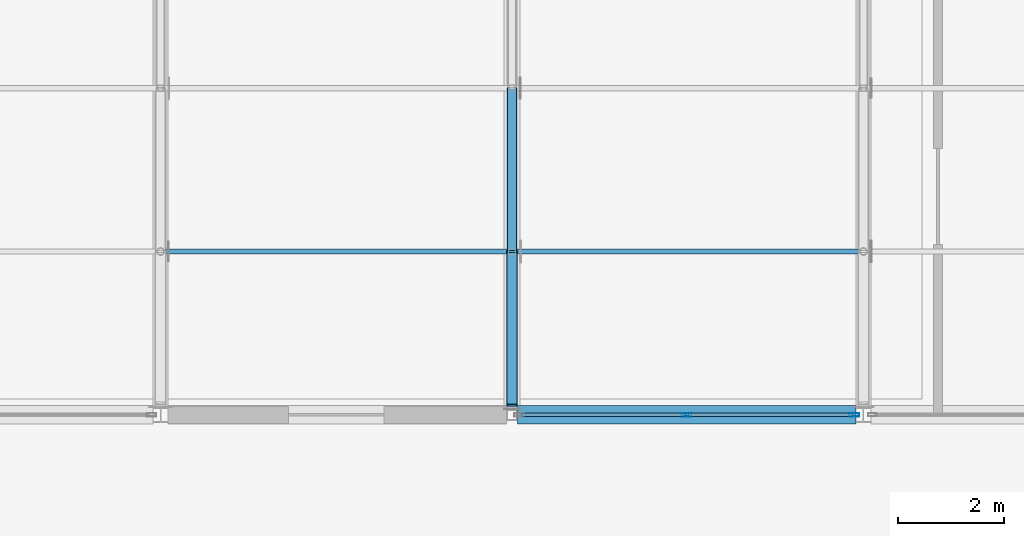
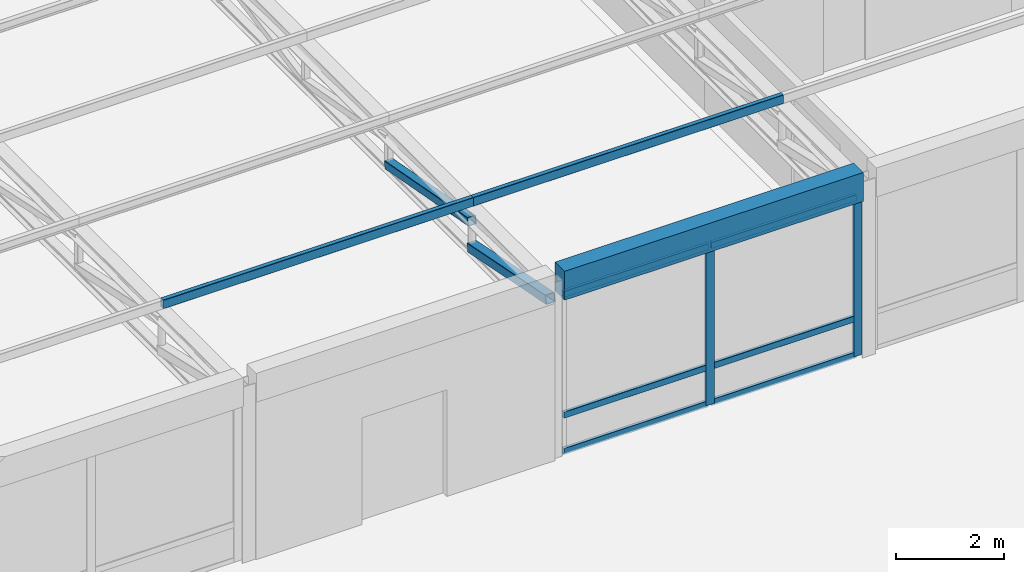
# One storey, part 23 of 92: 12 members, 1 beam, 1 element without a shape of its own.
"""IFC4 building model written with IfcOpenShell, lengths in metres."""

from ifc_helpers import new_model, si_unit, direction, frame, origin, origin_2d, place, context, subcontext, project, spatial, rectangle, hollow_rectangle, extrude, material, material_profile, profile_set, type_object, element, aggregate, save


model = new_model("IFC4")

# Units and contexts
model_context = context("Model", 3, precision=1e-05, world=origin(), true_north=direction((0.0, 1.0)))
body_context = subcontext(model_context, "Body", "Model", "MODEL_VIEW")
ifc_project = project(units=[si_unit("LENGTHUNIT", "METRE"), si_unit("AREAUNIT", "SQUARE_METRE"), si_unit("VOLUMEUNIT", "CUBIC_METRE"), si_unit("PLANEANGLEUNIT", "RADIAN"), si_unit("MASSUNIT", "GRAM", prefix="KILO")], contexts=[model_context])

# Site, building, storey
site_placement = place(None, origin())
site = spatial("IfcSite", under=ifc_project, at=site_placement, CompositionType="ELEMENT")
building_placement = place(site_placement, origin())
building = spatial("IfcBuilding", under=site, at=building_placement, Name="Kernevlak Ridge Housing Community", CompositionType="ELEMENT")
storey_placement = place(building_placement, frame((0.0, 0.0, 4.199951171875)))
storey = spatial("IfcBuildingStorey", under=building, at=storey_placement, Name="L01", CompositionType="ELEMENT", Elevation=4.199951171875)

# Beam
ifc_material_1 = material(Name="Concrete C35/45", Category="concrete")
ifc_material_profile_1 = material_profile(ifc_material_1, rectangle(XDim=0.35009765625, YDim=0.64990234375, at=origin_2d()), Name="RC 350x650")
ifc_profile_set_1 = profile_set([ifc_material_profile_1], Name="Concrete C35/45")
beam_type = type_object("IfcBeamType", Name="B-02", PredefinedType="BEAM", material=ifc_profile_set_1)
beam_placement = place(storey_placement, frame((84.10009765625, 49.800048828125, 3.875), z_axis=(1.0, 0.0, 0.0), x_axis=(0.0, 1.0, 0.0)))
element("IfcBeam", 1, at=beam_placement, inside=storey, type_object=beam_type, Name="Beam B-02 L01 2410", PredefinedType="BEAM", context=body_context, shape_type="SweptSolid", body=[
    extrude(rectangle(XDim=0.35009765625, YDim=0.64990234375, at=origin_2d()), origin(), (0.0, 0.0, 1.0), 6.35986328125),
])

# Members
ifc_material_2 = material(Name="Steel S355", Category="steel")
ifc_material_profile_2 = material_profile(ifc_material_2, hollow_rectangle(XDim=0.199951171875, YDim=0.199951171875, WallThickness=0.010009765625, InnerFilletRadius=0.010009765625, OuterFilletRadius=0.014892578125, at=origin_2d()), Name="SHS 200x200x10")
ifc_profile_set_2 = profile_set([ifc_material_profile_2], Name="Steel S355")
member_type_1 = type_object("IfcMemberType", Name="BR-01", PredefinedType="BRACE", material=ifc_profile_set_2)
member_1_placement = place(storey_placement, frame((84.0, 49.97998046875, 3.41015625), z_axis=(0.0, 0.98075256967, -0.195254697987), x_axis=(-1.0, 0.0, 0.0)))
element("IfcMember", 2, at=member_1_placement, inside=storey, type_object=member_type_1, Name="Community Hall roof truss 4 web diagonal 1", PredefinedType="BRACE", context=body_context, shape_type="SweptSolid", body=[
    extrude(hollow_rectangle(XDim=0.199951171875, YDim=0.199951171875, WallThickness=0.010009765625, InnerFilletRadius=0.010009765625, OuterFilletRadius=0.014892578125, at=origin_2d()), origin(), (0.0, 0.0, 1.0), 2.943359375),
])
ifc_material_profile_3 = material_profile(ifc_material_2, hollow_rectangle(XDim=0.179931640625, YDim=0.179931640625, WallThickness=0.010009765625, InnerFilletRadius=0.010009765625, OuterFilletRadius=0.014892578125, at=origin_2d()), Name="SHS 180x180x10")
ifc_profile_set_3 = profile_set([ifc_material_profile_3], Name="Steel S355")
member_type_2 = type_object("IfcMemberType", Name="BR-02", PredefinedType="BRACE", material=ifc_profile_set_3)
member_2_placement = place(storey_placement, frame((84.0, 52.86669921875, 3.41015625), z_axis=(0.0, 0.982889013809, -0.184198769087), x_axis=(-1.0, 0.0, 0.0)))
element("IfcMember", 3, at=member_2_placement, inside=storey, type_object=member_type_2, Name="Community Hall roof truss 4 web diagonal 2", PredefinedType="BRACE", context=body_context, shape_type="SweptSolid", body=[
    extrude(hollow_rectangle(XDim=0.179931640625, YDim=0.179931640625, WallThickness=0.010009765625, InnerFilletRadius=0.010009765625, OuterFilletRadius=0.014892578125, at=origin_2d()), origin(), (0.0, 0.0, 1.0), 3.1201171875),
])

# Curtain wall, members
ifc_material_3 = material(Name="Aluminium EN AW-6060 anodised and laminated glass", Category="aluminium")
curtain_wall_type = type_object("IfcCurtainWallType", Name="CW-09", PredefinedType="NOTDEFINED", material=ifc_material_3)
curtain_wall_placement = place(storey_placement, origin())
curtain_wall = element("IfcCurtainWall", 4, at=curtain_wall_placement, inside=storey, type_object=curtain_wall_type, Name="Curtain wall CW-09 CW-L01-179", PredefinedType="NOTDEFINED")
ifc_material_4 = material(Name="Aluminium EN AW-6060 anodised", Category="aluminium")
ifc_material_profile_4 = material_profile(ifc_material_4, hollow_rectangle(XDim=0.06494140625, YDim=0.179931640625, WallThickness=0.00439453125, InnerFilletRadius=0.001953125, OuterFilletRadius=0.00439453125, at=origin_2d()), Name="ALU 65x180x4.5")
ifc_profile_set_4 = profile_set([ifc_material_profile_4], Name="Aluminium EN AW-6060 anodised")
member_type_3 = type_object("IfcMemberType", Name="MU-03", PredefinedType="MULLION", material=ifc_profile_set_4)
member_3_placement = place(storey_placement, frame((87.280029296875, 49.800048828125, 0.0), z_axis=(0.0, 0.0, 1.0), x_axis=(0.0, 1.0, 0.0)))
member_3 = element("IfcMember", 5, at=member_3_placement, type_object=member_type_3, Name="CW-09 mullion 2", PredefinedType="MULLION", context=body_context, shape_type="SweptSolid", body=[
    extrude(hollow_rectangle(XDim=0.06494140625, YDim=0.179931640625, WallThickness=0.00439453125, InnerFilletRadius=0.001953125, OuterFilletRadius=0.00439453125, at=origin_2d()), origin(), (0.0, 0.0, 1.0), 3.60009765625),
])
member_4_placement = place(storey_placement, frame((90.427490234375, 49.800048828125, 0.0), z_axis=(0.0, 0.0, 1.0), x_axis=(0.0, 1.0, 0.0)))
member_4 = element("IfcMember", 6, at=member_4_placement, type_object=member_type_3, Name="CW-09 mullion 3", PredefinedType="MULLION", context=body_context, shape_type="SweptSolid", body=[
    extrude(hollow_rectangle(XDim=0.06494140625, YDim=0.179931640625, WallThickness=0.00439453125, InnerFilletRadius=0.001953125, OuterFilletRadius=0.00439453125, at=origin_2d()), origin(), (0.0, 0.0, 1.0), 3.60009765625),
])

# Members
ifc_material_profile_5 = material_profile(ifc_material_2, hollow_rectangle(XDim=0.10009765625, YDim=0.199951171875, WallThickness=0.008056640625, InnerFilletRadius=0.008056640625, OuterFilletRadius=0.011962890625, at=origin_2d()), Name="RHS 200x100x8")
ifc_profile_set_5 = profile_set([ifc_material_profile_5], Name="Steel S355")
member_type_4 = type_object("IfcMemberType", Name="PU-05", PredefinedType="PURLIN", material=ifc_profile_set_5)
for number, where, z_axis, x_axis, name in (
    (7, (77.39990234375, 52.86669921875, 3.860107421875), (1.0, 0.0, 0.0), (0.0, 1.0, 0.0), "Community Hall steel roof purlin 3.2"),
    (8, (84.0, 52.86669921875, 3.860107421875), (1.0, 0.0, 0.0), (0.0, 1.0, 0.0), "Community Hall steel roof purlin 4.2"),
):
    element("IfcMember", number, at=place(storey_placement, frame(where, z_axis=z_axis, x_axis=x_axis)), inside=storey, type_object=member_type_4, Name=name, PredefinedType="PURLIN", context=body_context, shape_type="SweptSolid", body=[
        extrude(hollow_rectangle(XDim=0.10009765625, YDim=0.199951171875, WallThickness=0.008056640625, InnerFilletRadius=0.008056640625, OuterFilletRadius=0.011962890625, at=origin_2d()), origin(), (0.0, 0.0, 1.0), 6.60009765625),
    ])

# Member
ifc_material_profile_6 = material_profile(ifc_material_4, hollow_rectangle(XDim=0.06494140625, YDim=0.139892578125, WallThickness=0.00390625, InnerFilletRadius=0.001953125, OuterFilletRadius=0.00390625, at=origin_2d()), Name="ALU 65x140x4")
ifc_profile_set_6 = profile_set([ifc_material_profile_6], Name="Aluminium EN AW-6060 anodised")
member_type_5 = type_object("IfcMemberType", Name="TM-03", PredefinedType="USERDEFINED", material=ifc_profile_set_6)
member_5_placement = place(storey_placement, frame((84.1650390625, 49.800048828125, 0.032470703125), z_axis=(1.0, 0.0, 0.0), x_axis=(0.0, 1.0, 0.0)))
member_5 = element("IfcMember", 9, at=member_5_placement, type_object=member_type_5, Name="CW-09 transom 1.1", ObjectType="TRANSOM", PredefinedType="USERDEFINED", context=body_context, shape_type="SweptSolid", body=[
    extrude(hollow_rectangle(XDim=0.06494140625, YDim=0.139892578125, WallThickness=0.00390625, InnerFilletRadius=0.001953125, OuterFilletRadius=0.00390625, at=origin_2d()), origin(), (0.0, 0.0, 1.0), 3.08251953125),
])

member_6_placement = place(storey_placement, frame((84.1650390625, 49.800048828125, 0.85009765625), z_axis=(1.0, 0.0, 0.0), x_axis=(0.0, 1.0, 0.0)))
member_6 = element("IfcMember", 10, at=member_6_placement, type_object=member_type_5, Name="CW-09 transom 1.2", ObjectType="TRANSOM", PredefinedType="USERDEFINED", context=body_context, shape_type="SweptSolid", body=[
    extrude(hollow_rectangle(XDim=0.06494140625, YDim=0.139892578125, WallThickness=0.00390625, InnerFilletRadius=0.001953125, OuterFilletRadius=0.00390625, at=origin_2d()), origin(), (0.0, 0.0, 1.0), 3.08251953125),
])

member_7_placement = place(storey_placement, frame((84.1650390625, 49.800048828125, 3.567626953125), z_axis=(1.0, 0.0, 0.0), x_axis=(0.0, 1.0, 0.0)))
member_7 = element("IfcMember", 11, at=member_7_placement, type_object=member_type_5, Name="CW-09 transom 1.3", ObjectType="TRANSOM", PredefinedType="USERDEFINED", context=body_context, shape_type="SweptSolid", body=[
    extrude(hollow_rectangle(XDim=0.06494140625, YDim=0.139892578125, WallThickness=0.00390625, InnerFilletRadius=0.001953125, OuterFilletRadius=0.00390625, at=origin_2d()), origin(), (0.0, 0.0, 1.0), 3.08251953125),
])

member_8_placement = place(storey_placement, frame((87.3125, 49.800048828125, 0.032470703125), z_axis=(1.0, 0.0, 0.0), x_axis=(0.0, 1.0, 0.0)))
member_8 = element("IfcMember", 12, at=member_8_placement, type_object=member_type_5, Name="CW-09 transom 2.1", ObjectType="TRANSOM", PredefinedType="USERDEFINED", context=body_context, shape_type="SweptSolid", body=[
    extrude(hollow_rectangle(XDim=0.06494140625, YDim=0.139892578125, WallThickness=0.00390625, InnerFilletRadius=0.001953125, OuterFilletRadius=0.00390625, at=origin_2d()), origin(), (0.0, 0.0, 1.0), 3.08251953125),
])

member_9_placement = place(storey_placement, frame((87.3125, 49.800048828125, 0.85009765625), z_axis=(1.0, 0.0, 0.0), x_axis=(0.0, 1.0, 0.0)))
member_9 = element("IfcMember", 13, at=member_9_placement, type_object=member_type_5, Name="CW-09 transom 2.2", ObjectType="TRANSOM", PredefinedType="USERDEFINED", context=body_context, shape_type="SweptSolid", body=[
    extrude(hollow_rectangle(XDim=0.06494140625, YDim=0.139892578125, WallThickness=0.00390625, InnerFilletRadius=0.001953125, OuterFilletRadius=0.00390625, at=origin_2d()), origin(), (0.0, 0.0, 1.0), 3.08251953125),
])

member_10_placement = place(storey_placement, frame((87.3125, 49.800048828125, 3.567626953125), z_axis=(1.0, 0.0, 0.0), x_axis=(0.0, 1.0, 0.0)))
member_10 = element("IfcMember", 14, at=member_10_placement, type_object=member_type_5, Name="CW-09 transom 2.3", ObjectType="TRANSOM", PredefinedType="USERDEFINED", context=body_context, shape_type="SweptSolid", body=[
    extrude(hollow_rectangle(XDim=0.06494140625, YDim=0.139892578125, WallThickness=0.00390625, InnerFilletRadius=0.001953125, OuterFilletRadius=0.00390625, at=origin_2d()), origin(), (0.0, 0.0, 1.0), 3.08251953125),
])

aggregate(curtain_wall, [member_3, member_4, member_5, member_6, member_7, member_8, member_9, member_10])

save(model, "model.ifc")
